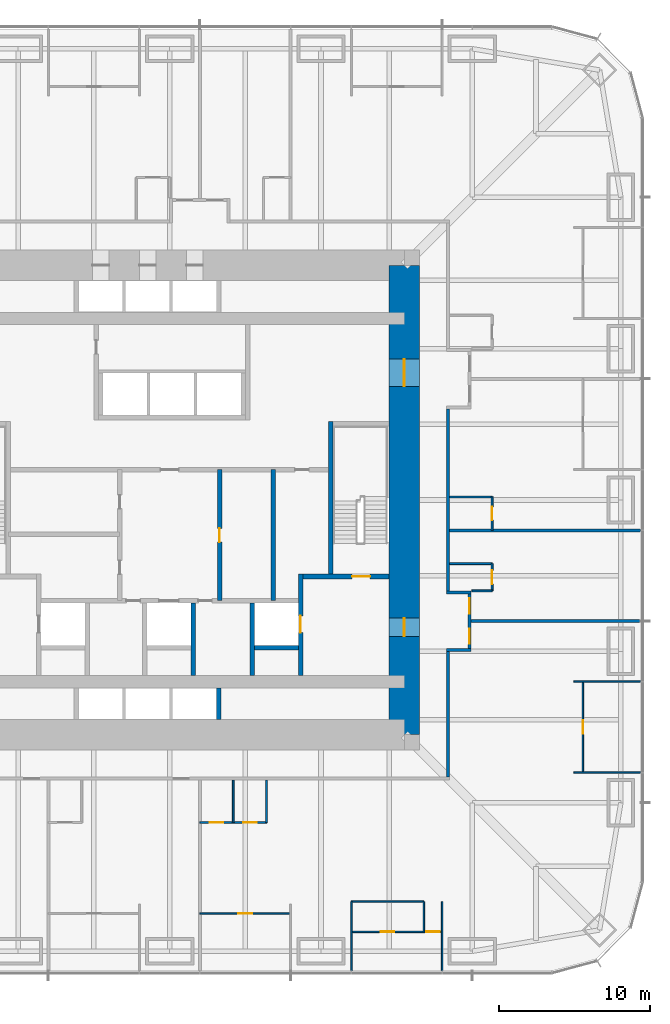
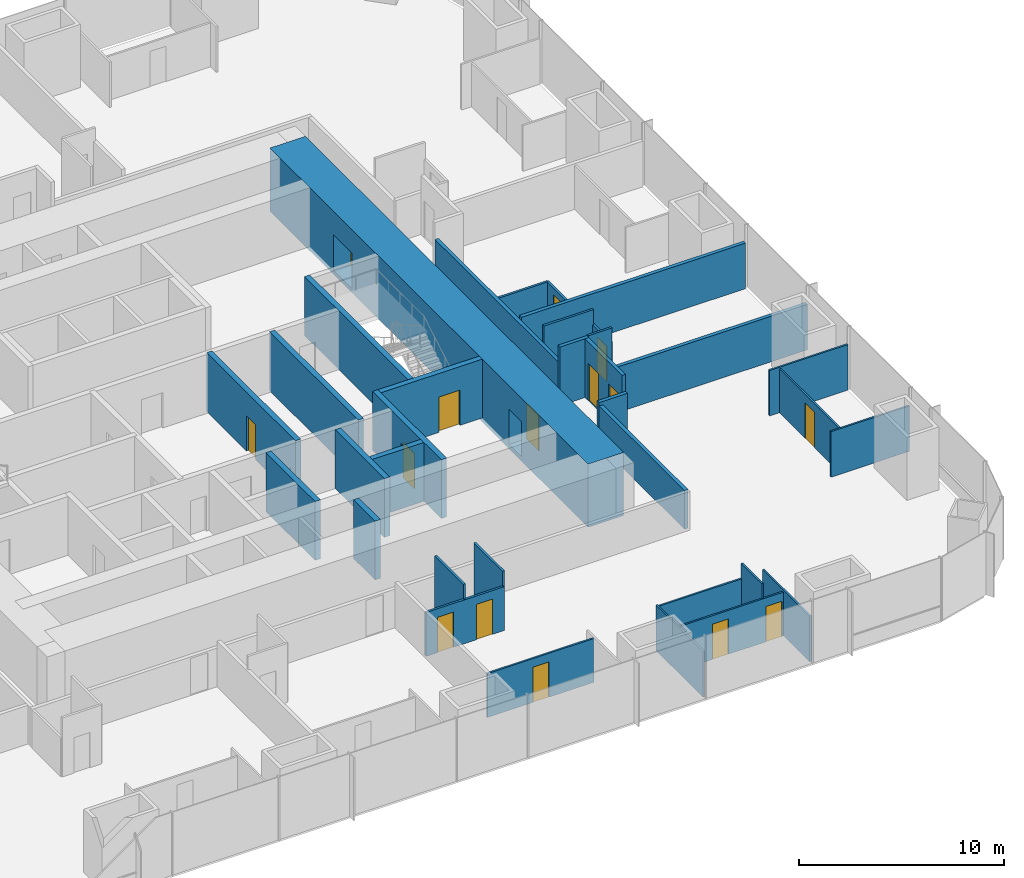
# One storey, part 13 of 16: 34 walls, 15 doors, 15 openings.
"""IFC4 building model written with IfcOpenShell, lengths in metres."""

from ifc_helpers import new_model, si_unit, direction, frame, frame_2d, origin, place, context, subcontext, project, spatial, rectangle, extrude, material, layer, layer_set, type_object, element, fill, save


model = new_model("IFC4")

# Units and contexts
model_context = context("Model", 3, precision=1e-05, world=origin(), true_north=direction((0.0, 1.0)))
body_context = subcontext(model_context, "Body", "Model", "MODEL_VIEW")
ifc_project = project(units=[si_unit("LENGTHUNIT", "METRE"), si_unit("AREAUNIT", "SQUARE_METRE"), si_unit("VOLUMEUNIT", "CUBIC_METRE"), si_unit("PLANEANGLEUNIT", "RADIAN"), si_unit("MASSUNIT", "GRAM", prefix="KILO")], contexts=[model_context])

# Site, building, storey
site_placement = place(None, origin())
site = spatial("IfcSite", under=ifc_project, at=site_placement, CompositionType="ELEMENT")
building_placement = place(site_placement, origin())
building = spatial("IfcBuilding", under=site, at=building_placement, Name="Khuree Lantern Residences", CompositionType="ELEMENT")
storey_placement = place(building_placement, frame((0.0, 0.0, 81.0)))
storey = spatial("IfcBuildingStorey", under=building, at=storey_placement, Name="L20", CompositionType="ELEMENT", Elevation=81.0)

# Wall, opening, door
ifc_material_1 = material(Name="Moisture-resistant gypsum board on steel studs", Category="steel")
ifc_layer_1 = layer(ifc_material_1, 0.125)
ifc_layer_set_1 = layer_set([ifc_layer_1], Name="BATHROOM WALL BTW125")
wall_type_1 = type_object("IfcWallType", Name="BATHROOM WALL BTW125", PredefinedType="PARTITIONING", material=ifc_layer_set_1)
wall_1_placement = place(storey_placement, frame((21.300048828125, -6.0, 0.0), z_axis=(0.0, 0.0, 1.0), x_axis=(0.0, 1.0, 0.0)))
wall_1 = element("IfcWall", 1, at=wall_1_placement, inside=storey, type_object=wall_type_1, Name="L20 BATHROOM WALL 01", PredefinedType="PARTITIONING", context=body_context, shape_type="SweptSolid", body=[
    extrude(rectangle(XDim=1.800048828125, YDim=0.125, at=frame_2d((0.89990234375, 0.0))), origin(), (0.0, 0.0, 1.0), 2.610107421875),
])
opening_1_placement = place(wall_1_placement, frame((0.449951171875, 0.0, 0.0)))
opening_1 = element("IfcOpeningElement", 2, at=opening_1_placement, cuts=wall_1, Name="Opening 20-021", PredefinedType="OPENING", context=body_context, shape_type="SweptSolid", body=[
    extrude(rectangle(XDim=0.89990234375, YDim=2.10009765625, at=frame_2d((0.449951171875, 1.050048828125))), frame((0.0, 0.072509765625, 0.0), z_axis=(0.0, -1.0, 0.0), x_axis=(1.0, 0.0, 0.0)), (0.0, 0.0, 1.0), 0.14501953125),
])
ifc_material_2 = material(Name="Timber door leaf in hardwood frame", Category="wood")
door_type_1 = type_object("IfcDoorType", Name="BATHROOM DOOR 900X2100", OperationType="SINGLE_SWING_LEFT", PredefinedType="DOOR", material=ifc_material_2)
door_1_placement = place(opening_1_placement, origin())
door_1 = element("IfcDoor", 3, at=door_1_placement, inside=storey, type_object=door_type_1, Name="Bathroom door 20-021", OperationType="SINGLE_SWING_LEFT", OverallHeight=2.10009765625, OverallWidth=0.89990234375, PredefinedType="DOOR", context=body_context, shape_type="SweptSolid", body=[
    extrude(rectangle(XDim=0.89990234375, YDim=2.10009765625, at=frame_2d((0.449951171875, 1.050048828125))), frame((0.0, 0.02490234375, 0.0), z_axis=(0.0, -1.0, 0.0), x_axis=(1.0, 0.0, 0.0)), (0.0, 0.0, 1.0), 0.050048828125),
])
fill(opening_1, door_1)

# Walls
wall_2_placement = place(storey_placement, frame((19.969970703125, -6.0, 0.0), z_axis=(0.0, 0.0, 1.0), x_axis=(1.0, 0.0, 0.0)))
element("IfcWall", 4, at=wall_2_placement, inside=storey, type_object=wall_type_1, Name="L20 BATHROOM WALL 01", PredefinedType="PARTITIONING", context=body_context, shape_type="SweptSolid", body=[
    extrude(rectangle(XDim=1.330078125, YDim=0.125, at=frame_2d((0.6650390625, 0.0))), origin(), (0.0, 0.0, 1.0), 3.5),
])
wall_3_placement = place(storey_placement, frame((18.5, -4.199951171875, 0.0), z_axis=(0.0, 0.0, 1.0), x_axis=(1.0, 0.0, 0.0)))
element("IfcWall", 5, at=wall_3_placement, inside=storey, type_object=wall_type_1, Name="L20 BATHROOM WALL 01", PredefinedType="PARTITIONING", context=body_context, shape_type="SweptSolid", body=[
    extrude(rectangle(XDim=2.800048828125, YDim=0.125, at=frame_2d((1.39990234375, 0.0))), origin(), (0.0, 0.0, 1.0), 3.5),
])

# Wall, opening, door
wall_4_placement = place(storey_placement, frame((21.300048828125, -2.0, 0.0), z_axis=(0.0, 0.0, 1.0), x_axis=(0.0, 1.0, 0.0)))
wall_4 = element("IfcWall", 6, at=wall_4_placement, inside=storey, type_object=wall_type_1, Name="L20 BATHROOM WALL 02", PredefinedType="PARTITIONING", context=body_context, shape_type="SweptSolid", body=[
    extrude(rectangle(XDim=2.199951171875, YDim=0.125, at=frame_2d((1.10009765625, 0.0))), origin(), (0.0, 0.0, 1.0), 2.491943359375),
])
opening_2_placement = place(wall_4_placement, frame((0.64990234375, 0.0, 0.0)))
opening_2 = element("IfcOpeningElement", 7, at=opening_2_placement, cuts=wall_4, Name="Opening 20-024", PredefinedType="OPENING", context=body_context, shape_type="SweptSolid", body=[
    extrude(rectangle(XDim=0.89990234375, YDim=2.10009765625, at=frame_2d((0.449951171875, 1.050048828125))), frame((0.0, 0.072509765625, 0.0), z_axis=(0.0, -1.0, 0.0), x_axis=(1.0, 0.0, 0.0)), (0.0, 0.0, 1.0), 0.14501953125),
])
door_2_placement = place(opening_2_placement, origin())
door_2 = element("IfcDoor", 8, at=door_2_placement, inside=storey, type_object=door_type_1, Name="Bathroom door 20-024", OperationType="SINGLE_SWING_LEFT", OverallHeight=2.10009765625, OverallWidth=0.89990234375, PredefinedType="DOOR", context=body_context, shape_type="SweptSolid", body=[
    extrude(rectangle(XDim=0.89990234375, YDim=2.10009765625, at=frame_2d((0.449951171875, 1.050048828125))), frame((0.0, 0.02490234375, 0.0), z_axis=(0.0, -1.0, 0.0), x_axis=(1.0, 0.0, 0.0)), (0.0, 0.0, 1.0), 0.050048828125),
])
fill(opening_2, door_2)

# Wall
wall_5_placement = place(storey_placement, frame((18.5, 0.199951171875, 0.0), z_axis=(0.0, 0.0, 1.0), x_axis=(1.0, 0.0, 0.0)))
element("IfcWall", 9, at=wall_5_placement, inside=storey, type_object=wall_type_1, Name="L20 BATHROOM WALL 02", PredefinedType="PARTITIONING", context=body_context, shape_type="SweptSolid", body=[
    extrude(rectangle(XDim=2.800048828125, YDim=0.125, at=frame_2d((1.39990234375, 0.0))), origin(), (0.0, 0.0, 1.0), 2.491943359375),
])

# Wall, openings, doors
wall_6_placement = place(storey_placement, frame((2.0, -21.300048828125, 0.0), z_axis=(0.0, 0.0, 1.0), x_axis=(1.0, 0.0, 0.0)))
wall_6 = element("IfcWall", 10, at=wall_6_placement, inside=storey, type_object=wall_type_1, Name="L20 BATHROOM WALL 10", PredefinedType="PARTITIONING", context=body_context, shape_type="SweptSolid", body=[
    extrude(rectangle(XDim=4.39990234375, YDim=0.125, at=frame_2d((2.199951171875, 0.0))), origin(), (0.0, 0.0, 1.0), 2.610107421875),
])
opening_3_placement = place(wall_6_placement, frame((0.64990234375, 0.0, 0.0)))
opening_3 = element("IfcOpeningElement", 11, at=opening_3_placement, cuts=wall_6, Name="Opening 20-053", PredefinedType="OPENING", context=body_context, shape_type="SweptSolid", body=[
    extrude(rectangle(XDim=0.89990234375, YDim=2.10009765625, at=frame_2d((0.449951171875, 1.050048828125))), frame((0.0, 0.072509765625, 0.0), z_axis=(0.0, -1.0, 0.0), x_axis=(1.0, 0.0, 0.0)), (0.0, 0.0, 1.0), 0.14501953125),
])
opening_4_placement = place(wall_6_placement, frame((2.85009765625, 0.0, 0.0)))
opening_4 = element("IfcOpeningElement", 12, at=opening_4_placement, cuts=wall_6, Name="Opening 20-054", PredefinedType="OPENING", context=body_context, shape_type="SweptSolid", body=[
    extrude(rectangle(XDim=0.89990234375, YDim=2.10009765625, at=frame_2d((0.449951171875, 1.050048828125))), frame((0.0, 0.072509765625, 0.0), z_axis=(0.0, -1.0, 0.0), x_axis=(1.0, 0.0, 0.0)), (0.0, 0.0, 1.0), 0.14501953125),
])
door_3_placement = place(opening_3_placement, origin())
door_3 = element("IfcDoor", 13, at=door_3_placement, inside=storey, type_object=door_type_1, Name="Bathroom door 20-053", OperationType="SINGLE_SWING_LEFT", OverallHeight=2.10009765625, OverallWidth=0.89990234375, PredefinedType="DOOR", context=body_context, shape_type="SweptSolid", body=[
    extrude(rectangle(XDim=0.89990234375, YDim=2.10009765625, at=frame_2d((0.449951171875, 1.050048828125))), frame((0.0, 0.02490234375, 0.0), z_axis=(0.0, -1.0, 0.0), x_axis=(1.0, 0.0, 0.0)), (0.0, 0.0, 1.0), 0.050048828125),
])
fill(opening_3, door_3)
door_4_placement = place(opening_4_placement, origin())
door_4 = element("IfcDoor", 14, at=door_4_placement, inside=storey, type_object=door_type_1, Name="Bathroom door 20-054", OperationType="SINGLE_SWING_LEFT", OverallHeight=2.10009765625, OverallWidth=0.89990234375, PredefinedType="DOOR", context=body_context, shape_type="SweptSolid", body=[
    extrude(rectangle(XDim=0.89990234375, YDim=2.10009765625, at=frame_2d((0.449951171875, 1.050048828125))), frame((0.0, 0.02490234375, 0.0), z_axis=(0.0, -1.0, 0.0), x_axis=(1.0, 0.0, 0.0)), (0.0, 0.0, 1.0), 0.050048828125),
])
fill(opening_4, door_4)

# Walls
for number, where, z_axis, x_axis, name in (
    (15, (4.199951171875, -18.5, 0.0), (0.0, 0.0, 1.0), (0.0, -1.0, 0.0), "L20 BATHROOM WALL 10"),
    (16, (6.39990234375, -18.5, 0.0), (0.0, 0.0, 1.0), (0.0, -1.0, 0.0), "L20 BATHROOM WALL 10"),
):
    element("IfcWall", number, at=place(storey_placement, frame(where, z_axis=z_axis, x_axis=x_axis)), inside=storey, type_object=wall_type_1, Name=name, PredefinedType="PARTITIONING", context=body_context, shape_type="SweptSolid", body=[
        extrude(rectangle(XDim=2.800048828125, YDim=0.125, at=frame_2d((1.39990234375, 0.0))), origin(), (0.0, 0.0, 1.0), 3.5),
    ])

# Wall, opening, door
ifc_material_3 = material(Name="Dense concrete blockwork", Category="masonry")
ifc_layer_2 = layer(ifc_material_3, 0.300048828125)
ifc_layer_set_2 = layer_set([ifc_layer_2], Name="CORE PARTITION WALL CPW300 EI 120")
wall_type_2 = type_object("IfcWallType", Name="CORE PARTITION WALL CPW300 EI 120", PredefinedType="PARTITIONING", material=ifc_layer_set_2)
wall_7_placement = place(storey_placement, frame((8.64990234375, -11.60009765625, 0.0), z_axis=(0.0, 0.0, 1.0), x_axis=(0.0, 1.0, 0.0)))
wall_7 = element("IfcWall", 17, at=wall_7_placement, inside=storey, type_object=wall_type_2, Name="L20 CORE WALL FL2E", PredefinedType="PARTITIONING", context=body_context, shape_type="SweptSolid", body=[
    extrude(rectangle(XDim=6.7001953125, YDim=0.300048828125, at=frame_2d((3.35009765625, 0.0))), origin(), (0.0, 0.0, 1.0), 3.5),
])
opening_5_placement = place(wall_7_placement, frame((2.85009765625, 0.0, 0.0)))
opening_5 = element("IfcOpeningElement", 18, at=opening_5_placement, cuts=wall_7, Name="Opening 20-008", PredefinedType="OPENING", context=body_context, shape_type="SweptSolid", body=[
    extrude(rectangle(XDim=1.10009765625, YDim=2.10009765625, at=frame_2d((0.550048828125, 1.050048828125))), frame((0.0, 0.16015625, 0.0), z_axis=(0.0, -1.0, 0.0), x_axis=(1.0, 0.0, 0.0)), (0.0, 0.0, 1.0), 0.320068359375),
])
ifc_material_4 = material(Name="Stainless steel lift landing door", Category="steel")
door_type_2 = type_object("IfcDoorType", Name="LIFT LANDING DOOR 1100X2100 E 120", OperationType="DOUBLE_DOOR_SLIDING", PredefinedType="DOOR", material=ifc_material_4)
door_5_placement = place(opening_5_placement, origin())
door_5 = element("IfcDoor", 19, at=door_5_placement, inside=storey, type_object=door_type_2, Name="Landing door FL2 20-008", OperationType="DOUBLE_DOOR_SLIDING", OverallHeight=2.10009765625, OverallWidth=1.10009765625, PredefinedType="DOOR", context=body_context, shape_type="SweptSolid", body=[
    extrude(rectangle(XDim=1.10009765625, YDim=2.10009765625, at=frame_2d((0.550048828125, 1.050048828125))), frame((0.0, 0.02490234375, 0.0), z_axis=(0.0, -1.0, 0.0), x_axis=(1.0, 0.0, 0.0)), (0.0, 0.0, 1.0), 0.050048828125),
])
fill(opening_5, door_5)

# Walls
for number, where, z_axis, x_axis, name in (
    (20, (1.550048828125, -11.60009765625, 0.0), (0.0, 0.0, 1.0), (0.0, 1.0, 0.0), "L20 CORE WALL SL1E"),
    (21, (5.449951171875, -11.60009765625, 0.0), (0.0, 0.0, 1.0), (0.0, 1.0, 0.0), "L20 CORE WALL FL2W"),
):
    element("IfcWall", number, at=place(storey_placement, frame(where, z_axis=z_axis, x_axis=x_axis)), inside=storey, type_object=wall_type_2, Name=name, PredefinedType="PARTITIONING", context=body_context, shape_type="SweptSolid", body=[
        extrude(rectangle(XDim=4.800048828125, YDim=0.300048828125, at=frame_2d((2.39990234375, 0.0))), origin(), (0.0, 0.0, 1.0), 3.5),
    ])
wall_8_placement = place(storey_placement, frame((5.60009765625, -9.75, 0.0), z_axis=(0.0, 0.0, 1.0), x_axis=(1.0, 0.0, 0.0)))
element("IfcWall", 22, at=wall_8_placement, inside=storey, type_object=wall_type_2, Name="L20 CORE WALL FL2S", PredefinedType="PARTITIONING", context=body_context, shape_type="SweptSolid", body=[
    extrude(rectangle(XDim=2.89990234375, YDim=0.300048828125, at=frame_2d((1.449951171875, 0.0))), origin(), (0.0, 0.0, 1.0), 3.5),
])
wall_9_placement = place(storey_placement, frame((3.25, -14.5, 0.0), z_axis=(0.0, 0.0, 1.0), x_axis=(0.0, 1.0, 0.0)))
element("IfcWall", 23, at=wall_9_placement, inside=storey, type_object=wall_type_2, Name="L20 CORE WALL PME", PredefinedType="PARTITIONING", context=body_context, shape_type="SweptSolid", body=[
    extrude(rectangle(XDim=2.10009765625, YDim=0.300048828125, at=frame_2d((1.050048828125, 0.0))), origin(), (0.0, 0.0, 1.0), 3.5),
])

# Wall, opening, door
wall_10_placement = place(storey_placement, frame((3.300048828125, -6.64990234375, 0.0), z_axis=(0.0, 0.0, 1.0), x_axis=(0.0, 1.0, 0.0)))
wall_10 = element("IfcWall", 24, at=wall_10_placement, inside=storey, type_object=wall_type_2, Name="L20 CORE WALL SVE", PredefinedType="PARTITIONING", context=body_context, shape_type="SweptSolid", body=[
    extrude(rectangle(XDim=8.64990234375, YDim=0.300048828125, at=frame_2d((4.324951171875, 0.0))), origin(), (0.0, 0.0, 1.0), 3.5),
])
opening_6_placement = place(wall_10_placement, frame((3.875, 0.0, 0.0)))
opening_6 = element("IfcOpeningElement", 25, at=opening_6_placement, cuts=wall_10, Name="Opening 20-018", PredefinedType="OPENING", context=body_context, shape_type="SweptSolid", body=[
    extrude(rectangle(XDim=0.89990234375, YDim=2.10009765625, at=frame_2d((0.449951171875, 1.050048828125))), frame((0.0, 0.16015625, 0.0), z_axis=(0.0, -1.0, 0.0), x_axis=(1.0, 0.0, 0.0)), (0.0, 0.0, 1.0), 0.320068359375),
])
door_type_3 = type_object("IfcDoorType", Name="DOOR 900X2100", OperationType="SINGLE_SWING_LEFT", PredefinedType="DOOR", material=ifc_material_2)
door_6_placement = place(opening_6_placement, origin())
door_6 = element("IfcDoor", 26, at=door_6_placement, inside=storey, type_object=door_type_3, Name="Residents' store door 20-018", OperationType="SINGLE_SWING_LEFT", OverallHeight=2.10009765625, OverallWidth=0.89990234375, PredefinedType="DOOR", context=body_context, shape_type="SweptSolid", body=[
    extrude(rectangle(XDim=0.89990234375, YDim=2.10009765625, at=frame_2d((0.449951171875, 1.050048828125))), frame((0.0, 0.02490234375, 0.0), z_axis=(0.0, -1.0, 0.0), x_axis=(1.0, 0.0, 0.0)), (0.0, 0.0, 1.0), 0.050048828125),
])
fill(opening_6, door_6)

# Walls
wall_11_placement = place(storey_placement, frame((6.833984375, -6.64990234375, 0.0), z_axis=(0.0, 0.0, 1.0), x_axis=(0.0, 1.0, 0.0)))
element("IfcWall", 27, at=wall_11_placement, inside=storey, type_object=wall_type_2, Name="L20 CORE WALL EV", PredefinedType="PARTITIONING", context=body_context, shape_type="SweptSolid", body=[
    extrude(rectangle(XDim=8.64990234375, YDim=0.300048828125, at=frame_2d((4.324951171875, 0.0))), origin(), (0.0, 0.0, 1.0), 3.5),
])
ifc_material_5 = material(Name="Gypsum board on steel studs", Category="steel")
ifc_layer_3 = layer(ifc_material_5, 0.199951171875)
ifc_layer_set_3 = layer_set([ifc_layer_3], Name="CORRIDOR WALL CRW200 EI 60")
wall_type_3 = type_object("IfcWallType", Name="CORRIDOR WALL CRW200 EI 60", PredefinedType="PARTITIONING", material=ifc_layer_set_3)
wall_12_placement = place(storey_placement, frame((18.39990234375, -18.300048828125, 0.0), z_axis=(0.0, 0.0, 1.0), x_axis=(0.0, 1.0, 0.0)))
element("IfcWall", 28, at=wall_12_placement, inside=storey, type_object=wall_type_3, Name="L20 CORRIDOR WALL EAST 1", PredefinedType="PARTITIONING", context=body_context, shape_type="SweptSolid", body=[
    extrude(rectangle(XDim=8.300048828125, YDim=0.199951171875, at=frame_2d((4.14990234375, 0.0))), origin(), (0.0, 0.0, 1.0), 2.300048828125),
])
wall_13_placement = place(storey_placement, frame((18.300048828125, -9.89990234375, 0.0), z_axis=(0.0, 0.0, 1.0), x_axis=(1.0, 0.0, 0.0)))
element("IfcWall", 29, at=wall_13_placement, inside=storey, type_object=wall_type_3, Name="L20 CORRIDOR ALCOVE WALL EAST", PredefinedType="PARTITIONING", context=body_context, shape_type="SweptSolid", body=[
    extrude(rectangle(XDim=1.599853515625, YDim=0.199951171875, at=frame_2d((0.7998046875, 0.0))), origin(), (0.0, 0.0, 1.0), 2.491943359375),
])
wall_14_placement = place(storey_placement, frame((18.300048828125, -6.10009765625, 0.0), z_axis=(0.0, 0.0, 1.0), x_axis=(1.0, 0.0, 0.0)))
element("IfcWall", 30, at=wall_14_placement, inside=storey, type_object=wall_type_3, Name="L20 CORRIDOR ALCOVE WALL EAST", PredefinedType="PARTITIONING", context=body_context, shape_type="SweptSolid", body=[
    extrude(rectangle(XDim=1.599853515625, YDim=0.199951171875, at=frame_2d((0.7998046875, 0.0))), origin(), (0.0, 0.0, 1.0), 3.5),
])

# Wall, openings, doors
wall_15_placement = place(storey_placement, frame((19.800048828125, -9.800048828125, 0.0), z_axis=(0.0, 0.0, 1.0), x_axis=(0.0, 1.0, 0.0)))
wall_15 = element("IfcWall", 31, at=wall_15_placement, inside=storey, type_object=wall_type_3, Name="L20 CORRIDOR ALCOVE WALL EAST", PredefinedType="PARTITIONING", context=body_context, shape_type="SweptSolid", body=[
    extrude(rectangle(XDim=3.60009765625, YDim=0.199951171875, at=frame_2d((1.800048828125, 0.0))), origin(), (0.0, 0.0, 1.0), 3.5),
])
opening_7_placement = place(wall_15_placement, frame((2.300048828125, 0.0, 0.0)))
opening_7 = element("IfcOpeningElement", 32, at=opening_7_placement, cuts=wall_15, Name="Opening 20-022", PredefinedType="OPENING", context=body_context, shape_type="SweptSolid", body=[
    extrude(rectangle(XDim=1.0, YDim=2.199951171875, at=frame_2d((0.5, 1.10009765625))), frame((0.0, 0.10986328125, 0.0), z_axis=(0.0, -1.0, 0.0), x_axis=(1.0, 0.0, 0.0)), (0.0, 0.0, 1.0), 0.219970703125),
])
opening_8_placement = place(wall_15_placement, frame((0.300048828125, 0.0, 0.0)))
opening_8 = element("IfcOpeningElement", 33, at=opening_8_placement, cuts=wall_15, Name="Opening 20-055", PredefinedType="OPENING", context=body_context, shape_type="SweptSolid", body=[
    extrude(rectangle(XDim=1.0, YDim=2.199951171875, at=frame_2d((0.5, 1.10009765625))), frame((0.0, 0.10986328125, 0.0), z_axis=(0.0, -1.0, 0.0), x_axis=(1.0, 0.0, 0.0)), (0.0, 0.0, 1.0), 0.219970703125),
])
door_type_4 = type_object("IfcDoorType", Name="APARTMENT ENTRANCE DOOR 1000X2200 EI 30S", OperationType="SINGLE_SWING_LEFT", PredefinedType="DOOR", material=ifc_material_2)
door_7_placement = place(opening_8_placement, origin())
door_7 = element("IfcDoor", 34, at=door_7_placement, inside=storey, type_object=door_type_4, Name="Apartment 10 entrance door 20-055", OperationType="SINGLE_SWING_LEFT", OverallHeight=2.199951171875, OverallWidth=1.0, PredefinedType="DOOR", context=body_context, shape_type="SweptSolid", body=[
    extrude(rectangle(XDim=1.0, YDim=2.199951171875, at=frame_2d((0.5, 1.10009765625))), frame((0.0, 0.02490234375, 0.0), z_axis=(0.0, -1.0, 0.0), x_axis=(1.0, 0.0, 0.0)), (0.0, 0.0, 1.0), 0.050048828125),
])
fill(opening_8, door_7)
door_type_5 = type_object("IfcDoorType", Name="APARTMENT ENTRANCE DOOR 1000X2200 EI 30S RIGHT HAND", OperationType="SINGLE_SWING_RIGHT", PredefinedType="DOOR", material=ifc_material_2)
door_8_placement = place(opening_7_placement, origin())
door_8 = element("IfcDoor", 35, at=door_8_placement, inside=storey, type_object=door_type_5, Name="Apartment 01 entrance door 20-022", OperationType="SINGLE_SWING_RIGHT", OverallHeight=2.199951171875, OverallWidth=1.0, PredefinedType="DOOR", context=body_context, shape_type="SweptSolid", body=[
    extrude(rectangle(XDim=1.0, YDim=2.199951171875, at=frame_2d((0.5, 1.10009765625))), frame((0.0, 0.02490234375, 0.0), z_axis=(0.0, -1.0, 0.0), x_axis=(1.0, 0.0, 0.0)), (0.0, 0.0, 1.0), 0.050048828125),
])
fill(opening_7, door_8)

# Wall
wall_16_placement = place(storey_placement, frame((18.39990234375, -6.0, 0.0), z_axis=(0.0, 0.0, 1.0), x_axis=(0.0, 1.0, 0.0)))
element("IfcWall", 36, at=wall_16_placement, inside=storey, type_object=wall_type_3, Name="L20 CORRIDOR WALL EAST 2", PredefinedType="PARTITIONING", context=body_context, shape_type="SweptSolid", body=[
    extrude(rectangle(XDim=12.0, YDim=0.199951171875, at=frame_2d((6.0, 0.0))), origin(), (0.0, 0.0, 1.0), 2.491943359375),
])

# Wall, openings, doors
ifc_material_6 = material(Name="Concrete C70/85", Category="concrete")
ifc_layer_4 = layer(ifc_material_6, 2.0)
ifc_layer_set_4 = layer_set([ifc_layer_4], Name="CW2000-C70 CORE WALL C70 2000")
wall_type_4 = type_object("IfcWallType", Name="CW2000-C70 CORE WALL C70 2000", PredefinedType="SHEAR", material=ifc_layer_set_4)
wall_17_placement = place(storey_placement, frame((15.5, -15.5, -0.25), z_axis=(0.0, 0.0, 1.0), x_axis=(0.0, 1.0, 0.0)))
wall_17 = element("IfcWall", 37, at=wall_17_placement, inside=storey, type_object=wall_type_4, Name="Core wall E", PredefinedType="SHEAR", context=body_context, shape_type="SweptSolid", body=[
    extrude(rectangle(XDim=31.0, YDim=2.0, at=frame_2d((15.5, 0.0))), origin(), (0.0, 0.0, 1.0), 3.75),
])
opening_9_placement = place(wall_17_placement, frame((6.5, 0.0, 0.25)))
opening_9 = element("IfcOpeningElement", 38, at=opening_9_placement, cuts=wall_17, Name="Opening 20-005", PredefinedType="OPENING", context=body_context, shape_type="SweptSolid", body=[
    extrude(rectangle(XDim=1.199951171875, YDim=2.10009765625, at=frame_2d((0.60009765625, 1.050048828125))), frame((0.0, 1.010009765625, 0.0), z_axis=(0.0, -1.0, 0.0), x_axis=(1.0, 0.0, 0.0)), (0.0, 0.0, 1.0), 2.02001953125),
])
opening_10_placement = place(wall_17_placement, frame((23.0, 0.0, 0.25)))
opening_10 = element("IfcOpeningElement", 39, at=opening_10_placement, cuts=wall_17, Name="Opening 20-006", PredefinedType="OPENING", context=body_context, shape_type="SweptSolid", body=[
    extrude(rectangle(XDim=1.800048828125, YDim=2.10009765625, at=frame_2d((0.89990234375, 1.050048828125))), frame((0.0, 1.010009765625, 0.0), z_axis=(0.0, -1.0, 0.0), x_axis=(1.0, 0.0, 0.0)), (0.0, 0.0, 1.0), 2.02001953125),
])
ifc_material_7 = material(Name="Steel door leaf in steel frame", Category="steel")
door_type_6 = type_object("IfcDoorType", Name="LOBBY DOOR 1200X2100 EI 120", OperationType="SINGLE_SWING_LEFT", PredefinedType="DOOR", material=ifc_material_7)
door_9_placement = place(opening_9_placement, origin())
door_9 = element("IfcDoor", 40, at=door_9_placement, inside=storey, type_object=door_type_6, Name="Firefighting lobby door 20-005", OperationType="SINGLE_SWING_LEFT", OverallHeight=2.10009765625, OverallWidth=1.199951171875, PredefinedType="DOOR", context=body_context, shape_type="SweptSolid", body=[
    extrude(rectangle(XDim=1.199951171875, YDim=2.10009765625, at=frame_2d((0.60009765625, 1.050048828125))), frame((0.0, 0.02490234375, 0.0), z_axis=(0.0, -1.0, 0.0), x_axis=(1.0, 0.0, 0.0)), (0.0, 0.0, 1.0), 0.050048828125),
])
fill(opening_9, door_9)
door_type_7 = type_object("IfcDoorType", Name="LOBBY DOUBLE DOOR 1800X2100 EI 60", OperationType="DOUBLE_DOOR_SINGLE_SWING", PredefinedType="DOOR", material=ifc_material_7)
door_10_placement = place(opening_10_placement, origin())
door_10 = element("IfcDoor", 41, at=door_10_placement, inside=storey, type_object=door_type_7, Name="Lift lobby door 20-006", OperationType="DOUBLE_DOOR_SINGLE_SWING", OverallHeight=2.10009765625, OverallWidth=1.800048828125, PredefinedType="DOOR", context=body_context, shape_type="SweptSolid", body=[
    extrude(rectangle(XDim=1.800048828125, YDim=2.10009765625, at=frame_2d((0.89990234375, 1.050048828125))), frame((0.0, 0.02490234375, 0.0), z_axis=(0.0, -1.0, 0.0), x_axis=(1.0, 0.0, 0.0)), (0.0, 0.0, 1.0), 0.050048828125),
])
fill(opening_10, door_10)

# Walls
ifc_layer_5 = layer(ifc_material_5, 0.199951171875)
ifc_layer_set_5 = layer_set([ifc_layer_5], Name="DEMISING WALL DMW200 EI 90")
wall_type_5 = type_object("IfcWallType", Name="DEMISING WALL DMW200 EI 90", PredefinedType="PARTITIONING", material=ifc_layer_set_5)
wall_18_placement = place(storey_placement, frame((19.89990234375, -8.0, 0.0), z_axis=(0.0, 0.0, 1.0), x_axis=(1.0, 0.0, 0.0)))
element("IfcWall", 42, at=wall_18_placement, inside=storey, type_object=wall_type_5, Name="L20 DEMISING WALL 01", PredefinedType="PARTITIONING", context=body_context, shape_type="SweptSolid", body=[
    extrude(rectangle(XDim=11.2001953125, YDim=0.199951171875, at=frame_2d((5.60009765625, 0.0))), origin(), (0.0, 0.0, 1.0), 2.7099609375),
])
wall_19_placement = place(storey_placement, frame((18.5, -2.0, 0.0), z_axis=(0.0, 0.0, 1.0), x_axis=(1.0, 0.0, 0.0)))
element("IfcWall", 43, at=wall_19_placement, inside=storey, type_object=wall_type_5, Name="L20 DEMISING WALL 02", PredefinedType="PARTITIONING", context=body_context, shape_type="SweptSolid", body=[
    extrude(rectangle(XDim=12.60009765625, YDim=0.199951171875, at=frame_2d((6.300048828125, 0.0))), origin(), (0.0, 0.0, 1.0), 2.7099609375),
])
ifc_layer_6 = layer(ifc_material_5, 0.10009765625)
ifc_layer_set_6 = layer_set([ifc_layer_6], Name="PARTITION PT100")
wall_type_6 = type_object("IfcWallType", Name="PARTITION PT100", PredefinedType="PARTITIONING", material=ifc_layer_set_6)
for number, where, z_axis, x_axis, name in (
    (44, (12.0, -26.5166015625, 0.0), (0.0, 0.0, 1.0), (0.0, -1.0, 0.0), "L20 PARTITION 10"),
    (45, (18.0, -26.5166015625, 0.0), (0.0, 0.0, 1.0), (0.0, -1.0, 0.0), "L20 PARTITION 10"),
):
    element("IfcWall", number, at=place(storey_placement, frame(where, z_axis=z_axis, x_axis=x_axis)), inside=storey, type_object=wall_type_6, Name=name, PredefinedType="PARTITIONING", context=body_context, shape_type="SweptSolid", body=[
        extrude(rectangle(XDim=4.58349609375, YDim=0.10009765625, at=frame_2d((2.291748046875, 0.0))), origin(), (0.0, 0.0, 1.0), 2.7099609375),
    ])
for number, where, z_axis, x_axis, name in (
    (46, (26.699951171875, -18.0, 0.0), (0.0, 0.0, 1.0), (1.0, 0.0, 0.0), "L20 PARTITION 10"),
    (47, (26.699951171875, -12.0, 0.0), (0.0, 0.0, 1.0), (1.0, 0.0, 0.0), "L20 PARTITION 10"),
):
    element("IfcWall", number, at=place(storey_placement, frame(where, z_axis=z_axis, x_axis=x_axis)), inside=storey, type_object=wall_type_6, Name=name, PredefinedType="PARTITIONING", context=body_context, shape_type="SweptSolid", body=[
        extrude(rectangle(XDim=4.400146484375, YDim=0.10009765625, at=frame_2d((2.2001953125, 0.0))), origin(), (0.0, 0.0, 1.0), 2.7099609375),
    ])

# Wall, opening, door
wall_20_placement = place(storey_placement, frame((2.0, -27.300048828125, 0.0), z_axis=(0.0, 0.0, 1.0), x_axis=(1.0, 0.0, 0.0)))
wall_20 = element("IfcWall", 48, at=wall_20_placement, inside=storey, type_object=wall_type_6, Name="L20 PARTITION 10", PredefinedType="PARTITIONING", context=body_context, shape_type="SweptSolid", body=[
    extrude(rectangle(XDim=6.0, YDim=0.10009765625, at=frame_2d((3.0, 0.0))), origin(), (0.0, 0.0, 1.0), 2.610107421875),
])
opening_11_placement = place(wall_20_placement, frame((2.550048828125, 0.0, 0.0)))
opening_11 = element("IfcOpeningElement", 49, at=opening_11_placement, cuts=wall_20, Name="Opening 20-049", PredefinedType="OPENING", context=body_context, shape_type="SweptSolid", body=[
    extrude(rectangle(XDim=0.89990234375, YDim=2.10009765625, at=frame_2d((0.449951171875, 1.050048828125))), frame((0.0, 0.06005859375, 0.0), z_axis=(0.0, -1.0, 0.0), x_axis=(1.0, 0.0, 0.0)), (0.0, 0.0, 1.0), 0.1201171875),
])
door_type_8 = type_object("IfcDoorType", Name="BEDROOM DOOR 900X2100", OperationType="SINGLE_SWING_LEFT", PredefinedType="DOOR", material=ifc_material_2)
door_11_placement = place(opening_11_placement, origin())
door_11 = element("IfcDoor", 50, at=door_11_placement, inside=storey, type_object=door_type_8, Name="Bedroom door 20-049", OperationType="SINGLE_SWING_LEFT", OverallHeight=2.10009765625, OverallWidth=0.89990234375, PredefinedType="DOOR", context=body_context, shape_type="SweptSolid", body=[
    extrude(rectangle(XDim=0.89990234375, YDim=2.10009765625, at=frame_2d((0.449951171875, 1.050048828125))), frame((0.0, 0.02490234375, 0.0), z_axis=(0.0, -1.0, 0.0), x_axis=(1.0, 0.0, 0.0)), (0.0, 0.0, 1.0), 0.050048828125),
])
fill(opening_11, door_11)

# Wall, openings, doors
wall_21_placement = place(storey_placement, frame((12.0, -28.5166015625, 0.0), z_axis=(0.0, 0.0, 1.0), x_axis=(1.0, 0.0, 0.0)))
wall_21 = element("IfcWall", 51, at=wall_21_placement, inside=storey, type_object=wall_type_6, Name="L20 PARTITION 10", PredefinedType="PARTITIONING", context=body_context, shape_type="SweptSolid", body=[
    extrude(rectangle(XDim=6.0, YDim=0.10009765625, at=frame_2d((3.0, 0.0))), origin(), (0.0, 0.0, 1.0), 2.610107421875),
])
opening_12_placement = place(wall_21_placement, frame((4.949951171875, 0.0, 0.0)))
opening_12 = element("IfcOpeningElement", 52, at=opening_12_placement, cuts=wall_21, Name="Opening 20-050", PredefinedType="OPENING", context=body_context, shape_type="SweptSolid", body=[
    extrude(rectangle(XDim=0.89990234375, YDim=2.10009765625, at=frame_2d((0.449951171875, 1.050048828125))), frame((0.0, 0.06005859375, 0.0), z_axis=(0.0, -1.0, 0.0), x_axis=(1.0, 0.0, 0.0)), (0.0, 0.0, 1.0), 0.1201171875),
])
opening_13_placement = place(wall_21_placement, frame((1.949951171875, 0.0, 0.0)))
opening_13 = element("IfcOpeningElement", 53, at=opening_13_placement, cuts=wall_21, Name="Opening 20-051", PredefinedType="OPENING", context=body_context, shape_type="SweptSolid", body=[
    extrude(rectangle(XDim=0.89990234375, YDim=2.10009765625, at=frame_2d((0.449951171875, 1.050048828125))), frame((0.0, 0.06005859375, 0.0), z_axis=(0.0, -1.0, 0.0), x_axis=(1.0, 0.0, 0.0)), (0.0, 0.0, 1.0), 0.1201171875),
])
door_12_placement = place(opening_12_placement, origin())
door_12 = element("IfcDoor", 54, at=door_12_placement, inside=storey, type_object=door_type_8, Name="Bedroom door 20-050", OperationType="SINGLE_SWING_LEFT", OverallHeight=2.10009765625, OverallWidth=0.89990234375, PredefinedType="DOOR", context=body_context, shape_type="SweptSolid", body=[
    extrude(rectangle(XDim=0.89990234375, YDim=2.10009765625, at=frame_2d((0.449951171875, 1.050048828125))), frame((0.0, 0.02490234375, 0.0), z_axis=(0.0, -1.0, 0.0), x_axis=(1.0, 0.0, 0.0)), (0.0, 0.0, 1.0), 0.050048828125),
])
fill(opening_12, door_12)
door_13_placement = place(opening_13_placement, origin())
door_13 = element("IfcDoor", 55, at=door_13_placement, inside=storey, type_object=door_type_3, Name="Wardrobe door 20-051", OperationType="SINGLE_SWING_LEFT", OverallHeight=2.10009765625, OverallWidth=0.89990234375, PredefinedType="DOOR", context=body_context, shape_type="SweptSolid", body=[
    extrude(rectangle(XDim=0.89990234375, YDim=2.10009765625, at=frame_2d((0.449951171875, 1.050048828125))), frame((0.0, 0.02490234375, 0.0), z_axis=(0.0, -1.0, 0.0), x_axis=(1.0, 0.0, 0.0)), (0.0, 0.0, 1.0), 0.050048828125),
])
fill(opening_13, door_13)

# Walls
wall_22_placement = place(storey_placement, frame((16.800048828125, -26.5166015625, 0.0), z_axis=(0.0, 0.0, 1.0), x_axis=(0.0, -1.0, 0.0)))
element("IfcWall", 56, at=wall_22_placement, inside=storey, type_object=wall_type_6, Name="L20 PARTITION 10", PredefinedType="PARTITIONING", context=body_context, shape_type="SweptSolid", body=[
    extrude(rectangle(XDim=2.0, YDim=0.10009765625, at=frame_2d((1.0, 0.0))), origin(), (0.0, 0.0, 1.0), 3.5),
])
wall_23_placement = place(storey_placement, frame((12.0, -26.5166015625, 0.0), z_axis=(0.0, 0.0, 1.0), x_axis=(1.0, 0.0, 0.0)))
element("IfcWall", 57, at=wall_23_placement, inside=storey, type_object=wall_type_6, Name="L20 PARTITION 10", PredefinedType="PARTITIONING", context=body_context, shape_type="SweptSolid", body=[
    extrude(rectangle(XDim=4.800048828125, YDim=0.10009765625, at=frame_2d((2.39990234375, 0.0))), origin(), (0.0, 0.0, 1.0), 2.610107421875),
])

# Wall, opening, door
wall_24_placement = place(storey_placement, frame((27.300048828125, -18.0, 0.0), z_axis=(0.0, 0.0, 1.0), x_axis=(0.0, 1.0, 0.0)))
wall_24 = element("IfcWall", 58, at=wall_24_placement, inside=storey, type_object=wall_type_6, Name="L20 PARTITION 10", PredefinedType="PARTITIONING", context=body_context, shape_type="SweptSolid", body=[
    extrude(rectangle(XDim=6.0, YDim=0.10009765625, at=frame_2d((3.0, 0.0))), origin(), (0.0, 0.0, 1.0), 2.610107421875),
])
opening_14_placement = place(wall_24_placement, frame((2.550048828125, 0.0, 0.0)))
opening_14 = element("IfcOpeningElement", 59, at=opening_14_placement, cuts=wall_24, Name="Opening 20-052", PredefinedType="OPENING", context=body_context, shape_type="SweptSolid", body=[
    extrude(rectangle(XDim=0.89990234375, YDim=2.10009765625, at=frame_2d((0.449951171875, 1.050048828125))), frame((0.0, 0.06005859375, 0.0), z_axis=(0.0, -1.0, 0.0), x_axis=(1.0, 0.0, 0.0)), (0.0, 0.0, 1.0), 0.1201171875),
])
door_14_placement = place(opening_14_placement, origin())
door_14 = element("IfcDoor", 60, at=door_14_placement, inside=storey, type_object=door_type_8, Name="Bedroom door 20-052", OperationType="SINGLE_SWING_LEFT", OverallHeight=2.10009765625, OverallWidth=0.89990234375, PredefinedType="DOOR", context=body_context, shape_type="SweptSolid", body=[
    extrude(rectangle(XDim=0.89990234375, YDim=2.10009765625, at=frame_2d((0.449951171875, 1.050048828125))), frame((0.0, 0.02490234375, 0.0), z_axis=(0.0, -1.0, 0.0), x_axis=(1.0, 0.0, 0.0)), (0.0, 0.0, 1.0), 0.050048828125),
])
fill(opening_14, door_14)

# Wall
ifc_material_8 = material(Name="Concrete C50/60", Category="concrete")
ifc_layer_7 = layer(ifc_material_8, 0.300048828125)
ifc_layer_set_7 = layer_set([ifc_layer_7], Name="STAIR WALL SRW300 C50/60 REI 240")
wall_type_7 = type_object("IfcWallType", Name="STAIR WALL SRW300 C50/60 REI 240", PredefinedType="SOLIDWALL", material=ifc_layer_set_7)
wall_25_placement = place(storey_placement, frame((10.64990234375, -4.89990234375, 0.0), z_axis=(0.0, 0.0, 1.0), x_axis=(0.0, 1.0, 0.0)))
element("IfcWall", 61, at=wall_25_placement, inside=storey, type_object=wall_type_7, Name="L20 STAIR WALL ST2E", PredefinedType="SOLIDWALL", context=body_context, shape_type="SweptSolid", body=[
    extrude(rectangle(XDim=10.099853515625, YDim=0.300048828125, at=frame_2d((5.0498046875, 0.0))), origin(), (0.0, 0.0, 1.0), 3.5),
])

# Wall, opening, door
wall_26_placement = place(storey_placement, frame((14.5, -5.050048828125, 0.0), z_axis=(0.0, 0.0, 1.0), x_axis=(-1.0, 0.0, 0.0)))
wall_26 = element("IfcWall", 62, at=wall_26_placement, inside=storey, type_object=wall_type_7, Name="L20 STAIR WALL ST2S", PredefinedType="SOLIDWALL", context=body_context, shape_type="SweptSolid", body=[
    extrude(rectangle(XDim=5.699951171875, YDim=0.300048828125, at=frame_2d((2.85009765625, 0.0))), origin(), (0.0, 0.0, 1.0), 3.5),
])
opening_15_placement = place(wall_26_placement, frame((1.25, 0.0, 0.0)))
opening_15 = element("IfcOpeningElement", 63, at=opening_15_placement, cuts=wall_26, Name="Opening 20-004", PredefinedType="OPENING", context=body_context, shape_type="SweptSolid", body=[
    extrude(rectangle(XDim=1.199951171875, YDim=2.10009765625, at=frame_2d((0.60009765625, 1.050048828125))), frame((0.0, 0.16015625, 0.0), z_axis=(0.0, -1.0, 0.0), x_axis=(1.0, 0.0, 0.0)), (0.0, 0.0, 1.0), 0.320068359375),
])
door_type_9 = type_object("IfcDoorType", Name="STAIR DOOR 1200X2100 EI 120", OperationType="SINGLE_SWING_LEFT", PredefinedType="DOOR", material=ifc_material_7)
door_15_placement = place(opening_15_placement, origin())
door_15 = element("IfcDoor", 64, at=door_15_placement, inside=storey, type_object=door_type_9, Name="Stair ST2 door 20-004", OperationType="SINGLE_SWING_LEFT", OverallHeight=2.10009765625, OverallWidth=1.199951171875, PredefinedType="DOOR", context=body_context, shape_type="SweptSolid", body=[
    extrude(rectangle(XDim=1.199951171875, YDim=2.10009765625, at=frame_2d((0.60009765625, 1.050048828125))), frame((0.0, 0.02490234375, 0.0), z_axis=(0.0, -1.0, 0.0), x_axis=(1.0, 0.0, 0.0)), (0.0, 0.0, 1.0), 0.050048828125),
])
fill(opening_15, door_15)

save(model, "model.ifc")
